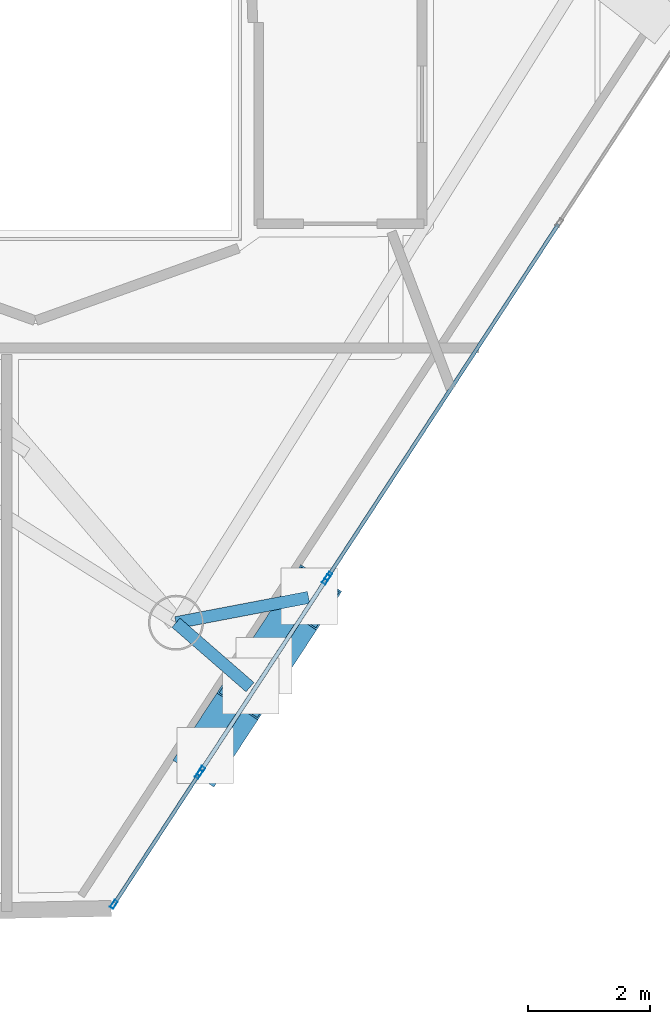
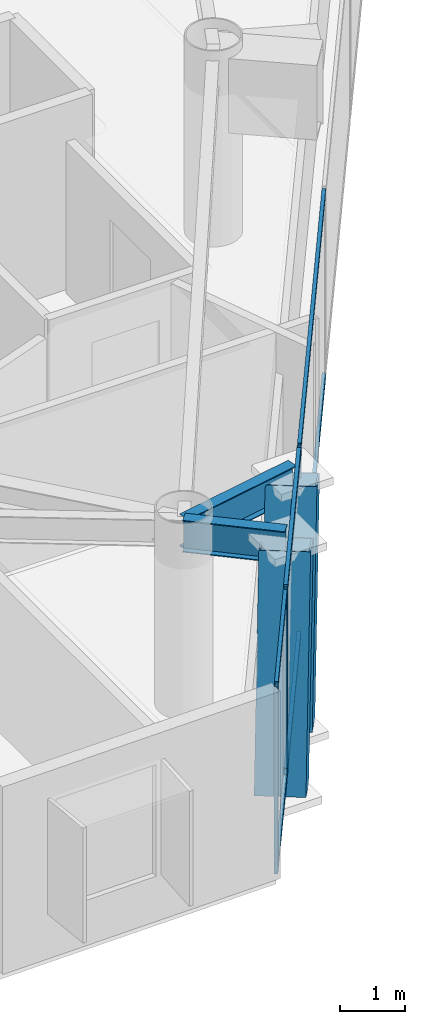
# One storey, part 5 of 25: 13 members, 2 beams, 3 elements without a shape of their own.
"""IFC4 building model written with IfcOpenShell, lengths in metres."""

from ifc_helpers import new_model, si_unit, direction, frame, origin, origin_2d, place, context, subcontext, project, spatial, hollow_rectangle, i_section, extrude, material, layer, layer_set, material_profile, profile_set, type_object, element, aggregate, save


model = new_model("IFC4")

# Units and contexts
model_context = context("Model", 3, precision=1e-05, world=origin(), true_north=direction((0.0, 1.0)))
body_context = subcontext(model_context, "Body", "Model", "MODEL_VIEW")
ifc_project = project(units=[si_unit("LENGTHUNIT", "METRE"), si_unit("AREAUNIT", "SQUARE_METRE"), si_unit("VOLUMEUNIT", "CUBIC_METRE"), si_unit("PLANEANGLEUNIT", "RADIAN"), si_unit("MASSUNIT", "GRAM", prefix="KILO")], contexts=[model_context])

# Site, building, storey
site_placement = place(None, origin())
site = spatial("IfcSite", under=ifc_project, at=site_placement, CompositionType="ELEMENT")
building_placement = place(site_placement, origin())
building = spatial("IfcBuilding", under=site, at=building_placement, Name="Qianvela Tower", CompositionType="ELEMENT")
storey_placement = place(building_placement, frame((0.0, 0.0, 295.39990234375)))
storey = spatial("IfcBuildingStorey", under=building, at=storey_placement, Name="L76", CompositionType="ELEMENT", Elevation=295.39990234375)

# Beams
ifc_material_1 = material(Name="Steel Q355B", Category="steel")
ifc_material_profile_1 = material_profile(ifc_material_1, i_section(OverallWidth=0.199951171875, OverallDepth=0.60009765625, WebThickness=0.010986328125, FlangeThickness=0.01708984375, at=origin_2d()), Name="HN600x200x11x17")
ifc_profile_set_1 = profile_set([ifc_material_profile_1], Name="Steel Q355B")
beam_type = type_object("IfcBeamType", Name="BM-HN600-GIRD", PredefinedType="BEAM", material=ifc_profile_set_1)
beam_1_placement = place(storey_placement, frame((39.095947265625, 11.587890625, 3.218017578125), z_axis=(0.754195853298, -0.656649537324, 0.0), x_axis=(0.656649537324, 0.754195853298, 0.0)))
element("IfcBeam", 1, at=beam_1_placement, inside=storey, type_object=beam_type, Name="L76 Mega-Brace Column Tie Bracket F3-1", PredefinedType="BEAM", context=body_context, shape_type="SweptSolid", body=[
    extrude(i_section(OverallWidth=0.199951171875, OverallDepth=0.60009765625, WebThickness=0.010986328125, FlangeThickness=0.01708984375, at=origin_2d()), origin(), (0.0, 0.0, 1.0), 1.604248046875),
])
beam_2_placement = place(storey_placement, frame((39.095947265625, 11.587890625, 3.218017578125), z_axis=(0.982277538267, 0.187432221925, 0.0), x_axis=(-0.187432221925, 0.982277538267, 0.0)))
element("IfcBeam", 2, at=beam_2_placement, inside=storey, type_object=beam_type, Name="L76 Mega-Brace Column Tie Bracket F3-2", PredefinedType="BEAM", context=body_context, shape_type="SweptSolid", body=[
    extrude(i_section(OverallWidth=0.199951171875, OverallDepth=0.60009765625, WebThickness=0.010986328125, FlangeThickness=0.01708984375, at=origin_2d()), origin(), (0.0, 0.0, 1.0), 2.207763671875),
])

# Curtain wall, members
ifc_material_2 = material(Name="Anodised Architectural Aluminium and Insulated Spandrel Panel", Category="aluminium")
ifc_layer_1 = layer(ifc_material_2, 0.179931640625)
ifc_layer_set_1 = layer_set([ifc_layer_1], Name="Anodised Architectural Aluminium and Insulated Spandrel Panel")
curtain_wall_type_1 = type_object("IfcCurtainWallType", Name="CW-BRACEBAY", PredefinedType="USERDEFINED", material=ifc_layer_set_1)
curtain_wall_1_placement = place(storey_placement, origin())
curtain_wall_1 = element("IfcCurtainWall", 3, at=curtain_wall_1_placement, inside=storey, type_object=curtain_wall_type_1, Name="L76 CW-BRACEBAY Curtain Wall 06B", ObjectType="CURTAIN_WALL_SYSTEM", PredefinedType="USERDEFINED")
ifc_material_3 = material(Name="Anodised Architectural Aluminium 6063-T6", Category="aluminium")
ifc_material_profile_2 = material_profile(ifc_material_3, hollow_rectangle(XDim=0.06494140625, YDim=0.159912109375, WallThickness=0.0048828125, at=origin_2d()), Name="ALU-MULL-65x160")
ifc_profile_set_2 = profile_set([ifc_material_profile_2], Name="Anodised Architectural Aluminium 6063-T6")
member_type_1 = type_object("IfcMemberType", Name="CW-BRACEBAY-MULL", PredefinedType="MULLION", material=ifc_profile_set_2)
member_1_placement = place(storey_placement, frame((39.503662109375, 9.1611328125, 0.0), z_axis=(0.0, 0.0, 1.0), x_axis=(-0.837071323886, 0.547093775077, 0.0)))
member_1 = element("IfcMember", 4, at=member_1_placement, type_object=member_type_1, Name="CW-9 mullion 1", PredefinedType="MULLION", context=body_context, shape_type="SweptSolid", body=[
    extrude(hollow_rectangle(XDim=0.06494140625, YDim=0.159912109375, WallThickness=0.0048828125, at=origin_2d()), origin(), (0.0, 0.0, 1.0), 3.52001953125),
])
member_2_placement = place(storey_placement, frame((41.552734375, 12.2958984375, 0.0), z_axis=(0.0, 0.0, 1.0), x_axis=(-0.837071323886, 0.547093775077, 0.0)))
member_2 = element("IfcMember", 5, at=member_2_placement, type_object=member_type_1, Name="CW-9 mullion 2", PredefinedType="MULLION", context=body_context, shape_type="SweptSolid", body=[
    extrude(hollow_rectangle(XDim=0.06494140625, YDim=0.159912109375, WallThickness=0.0048828125, at=origin_2d()), origin(), (0.0, 0.0, 1.0), 3.52001953125),
])
ifc_material_4 = material(Name="Anodised Architectural Aluminium 6063-T6", Category="aluminium")
ifc_material_profile_3 = material_profile(ifc_material_4, hollow_rectangle(XDim=0.06494140625, YDim=0.1298828125, WallThickness=0.00439453125, at=origin_2d()), Name="ALU-TRAN-65x130")
ifc_profile_set_3 = profile_set([ifc_material_profile_3], Name="Anodised Architectural Aluminium 6063-T6")
member_type_2 = type_object("IfcMemberType", Name="CW-BRACEBAY-TRAN", PredefinedType="USERDEFINED", material=ifc_profile_set_3)
member_3_placement = place(storey_placement, frame((39.521484375, 9.1884765625, 0.03271484375), z_axis=(0.54712959648, 0.837047910609, 0.0), x_axis=(-0.837047910609, 0.54712959648, 0.0)))
member_3 = element("IfcMember", 6, at=member_3_placement, type_object=member_type_2, Name="CW-9 transom 1.1", ObjectType="TRANSOM", PredefinedType="USERDEFINED", context=body_context, shape_type="SweptSolid", body=[
    extrude(hollow_rectangle(XDim=0.06494140625, YDim=0.1298828125, WallThickness=0.00439453125, at=origin_2d()), origin(), (0.0, 0.0, 1.0), 3.679931640625),
])
member_4_placement = place(storey_placement, frame((39.521484375, 9.1884765625, 3.487548828125), z_axis=(0.54712959648, 0.837047910609, 0.0), x_axis=(-0.837047910609, 0.54712959648, 0.0)))
member_4 = element("IfcMember", 7, at=member_4_placement, type_object=member_type_2, Name="CW-9 transom 1.2", ObjectType="TRANSOM", PredefinedType="USERDEFINED", context=body_context, shape_type="SweptSolid", body=[
    extrude(hollow_rectangle(XDim=0.06494140625, YDim=0.1298828125, WallThickness=0.00439453125, at=origin_2d()), origin(), (0.0, 0.0, 1.0), 3.679931640625),
])
aggregate(curtain_wall_1, [member_1, member_2, member_3, member_4])

ifc_material_5 = material(Name="Anodised Architectural Aluminium and Low-E Glass", Category="aluminium")
ifc_layer_2 = layer(ifc_material_5, 0.14990234375)
ifc_layer_set_2 = layer_set([ifc_layer_2], Name="Anodised Architectural Aluminium and Low-E Glass")
curtain_wall_type_2 = type_object("IfcCurtainWallType", Name="CW-COLIV-Z78", PredefinedType="USERDEFINED", material=ifc_layer_set_2)
curtain_wall_2_placement = place(storey_placement, origin())
curtain_wall_2 = element("IfcCurtainWall", 8, at=curtain_wall_2_placement, inside=storey, type_object=curtain_wall_type_2, Name="L76 CW-COLIV-Z78 Curtain Wall 06A", ObjectType="CURTAIN_WALL_SYSTEM", PredefinedType="USERDEFINED")
ifc_material_6 = material(Name="Anodised Architectural Aluminium 6063-T6", Category="aluminium")
ifc_material_profile_4 = material_profile(ifc_material_6, hollow_rectangle(XDim=0.06005859375, YDim=0.139892578125, WallThickness=0.00439453125, at=origin_2d()), Name="ALU-MULL-60x140")
ifc_profile_set_4 = profile_set([ifc_material_profile_4], Name="Anodised Architectural Aluminium 6063-T6")
member_type_3 = type_object("IfcMemberType", Name="CW-COLIV-Z78-MULL", PredefinedType="MULLION", material=ifc_profile_set_4)
member_5_placement = place(storey_placement, frame((38.080078125, 6.982666015625, 0.0), z_axis=(0.0, 0.0, 1.0), x_axis=(-0.837080717195, 0.547079402738, 0.0)))
member_5 = element("IfcMember", 9, at=member_5_placement, type_object=member_type_3, Name="CW-6 mullion 1", PredefinedType="MULLION", context=body_context, shape_type="SweptSolid", body=[
    extrude(hollow_rectangle(XDim=0.06005859375, YDim=0.139892578125, WallThickness=0.00439453125, at=origin_2d()), origin(), (0.0, 0.0, 1.0), 3.52001953125),
])
member_6_placement = place(storey_placement, frame((39.469482421875, 9.10888671875, 0.0), z_axis=(0.0, 0.0, 1.0), x_axis=(-0.837080717195, 0.547079402738, 0.0)))
member_6 = element("IfcMember", 10, at=member_6_placement, type_object=member_type_3, Name="CW-6 mullion 2", PredefinedType="MULLION", context=body_context, shape_type="SweptSolid", body=[
    extrude(hollow_rectangle(XDim=0.06005859375, YDim=0.139892578125, WallThickness=0.00439453125, at=origin_2d()), origin(), (0.0, 0.0, 1.0), 3.52001953125),
])

# Curtain wall, member
curtain_wall_3_placement = place(storey_placement, origin())
curtain_wall_3 = element("IfcCurtainWall", 11, at=curtain_wall_3_placement, inside=storey, type_object=curtain_wall_type_2, Name="L76 CW-COLIV-Z78 Curtain Wall 06C", ObjectType="CURTAIN_WALL_SYSTEM", PredefinedType="USERDEFINED")
member_7_placement = place(storey_placement, frame((41.5869140625, 12.348388671875, 0.0), z_axis=(0.0, 0.0, 1.0), x_axis=(-0.837079522696, 0.547081230424, 0.0)))
member_7 = element("IfcMember", 12, at=member_7_placement, type_object=member_type_3, Name="CW-6 mullion 1", PredefinedType="MULLION", context=body_context, shape_type="SweptSolid", body=[
    extrude(hollow_rectangle(XDim=0.06005859375, YDim=0.139892578125, WallThickness=0.00439453125, at=origin_2d()), origin(), (0.0, 0.0, 1.0), 3.52001953125),
])

# Member
ifc_material_7 = material(Name="Anodised Architectural Aluminium 6063-T6", Category="aluminium")
ifc_material_profile_5 = material_profile(ifc_material_7, hollow_rectangle(XDim=0.06005859375, YDim=0.114990234375, WallThickness=0.00390625, at=origin_2d()), Name="ALU-TRAN-60x115")
ifc_profile_set_5 = profile_set([ifc_material_profile_5], Name="Anodised Architectural Aluminium 6063-T6")
member_type_4 = type_object("IfcMemberType", Name="CW-COLIV-Z78-TRAN", PredefinedType="USERDEFINED", material=ifc_profile_set_5)
member_8_placement = place(storey_placement, frame((38.096435546875, 7.0078125, 0.030029296875), z_axis=(0.547066331515, 0.83708925983, 0.0), x_axis=(-0.83708925983, 0.547066331515, 0.0)))
member_8 = element("IfcMember", 13, at=member_8_placement, type_object=member_type_4, Name="CW-6 transom 1.1", ObjectType="TRANSOM", PredefinedType="USERDEFINED", context=body_context, shape_type="SweptSolid", body=[
    extrude(hollow_rectangle(XDim=0.06005859375, YDim=0.114990234375, WallThickness=0.00390625, at=origin_2d()), origin(), (0.0, 0.0, 1.0), 2.47998046875),
])

member_9_placement = place(storey_placement, frame((38.096435546875, 7.0078125, 3.489990234375), z_axis=(0.547066331515, 0.83708925983, 0.0), x_axis=(-0.83708925983, 0.547066331515, 0.0)))
member_9 = element("IfcMember", 14, at=member_9_placement, type_object=member_type_4, Name="CW-6 transom 1.2", ObjectType="TRANSOM", PredefinedType="USERDEFINED", context=body_context, shape_type="SweptSolid", body=[
    extrude(hollow_rectangle(XDim=0.06005859375, YDim=0.114990234375, WallThickness=0.00390625, at=origin_2d()), origin(), (0.0, 0.0, 1.0), 2.47998046875),
])

aggregate(curtain_wall_2, [member_5, member_6, member_8, member_9])

member_10_placement = place(storey_placement, frame((41.603271484375, 12.37353515625, 0.030029296875), z_axis=(0.547080224916, 0.837080179855, 0.0), x_axis=(-0.837080179855, 0.547080224916, 0.0)))
member_10 = element("IfcMember", 15, at=member_10_placement, type_object=member_type_4, Name="CW-6 transom 1.1", ObjectType="TRANSOM", PredefinedType="USERDEFINED", context=body_context, shape_type="SweptSolid", body=[
    extrude(hollow_rectangle(XDim=0.06005859375, YDim=0.114990234375, WallThickness=0.00390625, at=origin_2d()), origin(), (0.0, 0.0, 1.0), 6.84521484375),
])

member_11_placement = place(storey_placement, frame((41.603271484375, 12.37353515625, 3.489990234375), z_axis=(0.547080224916, 0.837080179855, 0.0), x_axis=(-0.837080179855, 0.547080224916, 0.0)))
member_11 = element("IfcMember", 16, at=member_11_placement, type_object=member_type_4, Name="CW-6 transom 1.2", ObjectType="TRANSOM", PredefinedType="USERDEFINED", context=body_context, shape_type="SweptSolid", body=[
    extrude(hollow_rectangle(XDim=0.06005859375, YDim=0.114990234375, WallThickness=0.00390625, at=origin_2d()), origin(), (0.0, 0.0, 1.0), 6.84521484375),
])

aggregate(curtain_wall_3, [member_7, member_10, member_11])

# Members
ifc_material_8 = material(Name="Steel Q420GJC", Category="steel")
ifc_material_profile_6 = material_profile(ifc_material_8, hollow_rectangle(XDim=0.800048828125, YDim=0.800048828125, WallThickness=0.028076171875, at=origin_2d()), Name="MBOX-800x800x28")
ifc_profile_set_6 = profile_set([ifc_material_profile_6], Name="Steel Q420GJC")
member_type_5 = type_object("IfcMemberType", Name="MBR-MBRACE-800", PredefinedType="BRACE", material=ifc_profile_set_6)
member_12_placement = place(storey_placement, frame((39.587646484375, 9.435791015625, -0.48193359375), z_axis=(0.182955603705, 0.279843717427, 0.942451452802), x_axis=(-0.836995826354, 0.547209271363, 0.0)))
element("IfcMember", 17, at=member_12_placement, inside=storey, type_object=member_type_5, Name="L76 Tier 12 Exterior Mega-Brace F3A", PredefinedType="BRACE", context=body_context, shape_type="SweptSolid", body=[
    extrude(hollow_rectangle(XDim=0.800048828125, YDim=0.800048828125, WallThickness=0.028076171875, at=origin_2d()), origin(), (0.0, 0.0, 1.0), 3.92578125),
])
member_13_placement = place(storey_placement, frame((40.54638671875, 10.90283203125, -0.48193359375), z_axis=(0.182952419498, 0.279901033365, 0.942435050134), x_axis=(-0.837051508538, 0.547124092006, 0.0)))
element("IfcMember", 18, at=member_13_placement, inside=storey, type_object=member_type_5, Name="L76 Tier 12 Exterior Mega-Brace F3B", PredefinedType="BRACE", context=body_context, shape_type="SweptSolid", body=[
    extrude(hollow_rectangle(XDim=0.800048828125, YDim=0.800048828125, WallThickness=0.028076171875, at=origin_2d()), origin(), (0.0, 0.0, 1.0), 3.926025390625),
])

save(model, "model.ifc")
